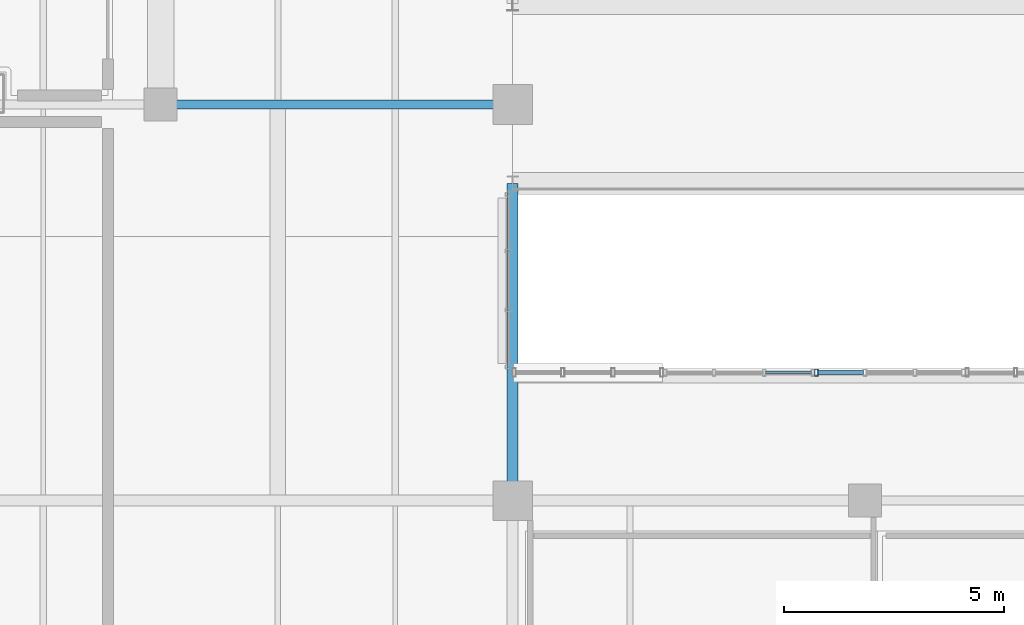
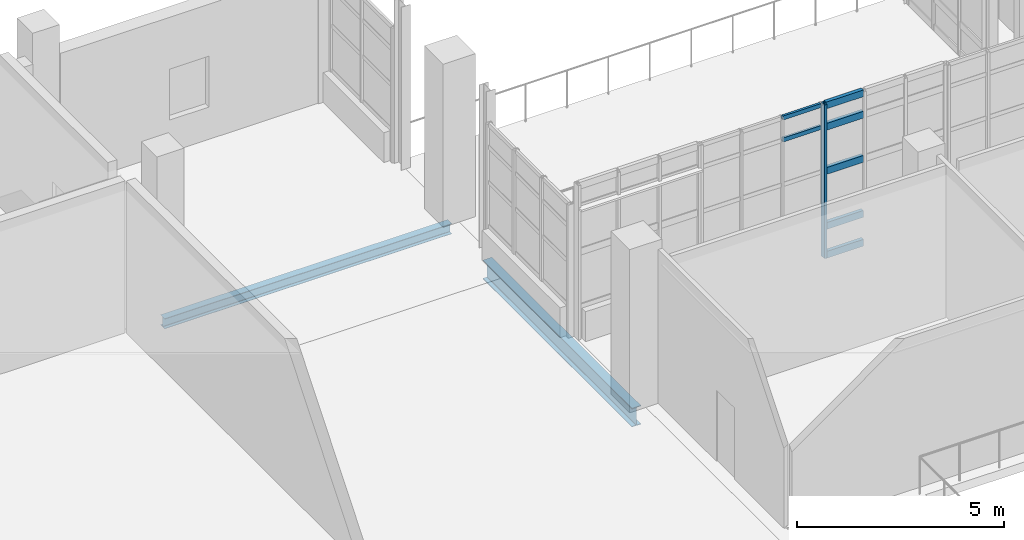
# One storey, part 22 of 100: 8 members, 2 beams, 2 elements without a shape of their own.
"""IFC4 building model written with IfcOpenShell, lengths in metres."""

import ifcopenshell
import ifcopenshell.guid

model = None  # the IFC model being written
_history = None  # IfcOwnerHistory: only IFC2X3 demands one
_inside = {}  # id of a spatial element -> (the spatial element, [elements in it])
_under = {}  # id of a project, library or spatial element -> (it, [spatial elements below it])
_declared = {}  # id of a project -> (the project, [libraries it declares])
_typed = {}  # id of a type object -> (the type object, [elements of that type])
_made_of = {}  # id of a material, layer set ... -> (it, [elements and type objects made of it])


def new_model(schema):
    """Start an empty IFC model of exactly this schema.

    Asked for "IFC4X3", IfcOpenShell would pick the latest addendum, in which some entities
    have other attributes; the version numbers below select the first issue.
    IFC2X3 requires an IfcOwnerHistory on every rooted entity: one is made here for all.
    """
    global model, _history
    if schema == "IFC4X3":
        model = ifcopenshell.file(schema_version=(4, 3, 0, 0))
    else:
        model = ifcopenshell.file(schema=schema)
    _inside.clear()
    _under.clear()
    _declared.clear()
    _typed.clear()
    _made_of.clear()
    _history = None
    if model.schema == "IFC2X3":
        org = make("IfcOrganization", Name="unknown")
        user = make(
            "IfcPersonAndOrganization",
            ThePerson=make("IfcPerson", FamilyName="unknown"),
            TheOrganization=org,
        )
        app = make(
            "IfcApplication",
            ApplicationDeveloper=org,
            Version="unknown",
            ApplicationFullName="unknown",
            ApplicationIdentifier="unknown",
        )
        _history = make(
            "IfcOwnerHistory",
            OwningUser=user,
            OwningApplication=app,
            ChangeAction="ADDED",
            CreationDate=0,
        )
    return model


def make(cls, **values):
    """One entity of the class cls with the attributes given. An attribute that is None is left unset."""
    return model.create_entity(
        cls, **{name: value for name, value in values.items() if value is not None}
    )


def rooted(cls, **values):
    """An entity with a GlobalId (a new one), such as an element, a storey or a relation."""
    return make(cls, GlobalId=ifcopenshell.guid.new(), OwnerHistory=_history, **values)


def si_unit(unit_type, name, prefix=None):
    """IfcSIUnit, for example si_unit("LENGTHUNIT", "METRE", prefix="MILLI")."""
    return make("IfcSIUnit", UnitType=unit_type, Prefix=prefix, Name=name)


def derived_unit(unit_type, elements):
    """IfcDerivedUnit: a product of units, each with its exponent."""
    return make(
        "IfcDerivedUnit",
        Elements=[
            make("IfcDerivedUnitElement", Unit=unit, Exponent=power)
            for unit, power in elements
        ],
        UnitType=unit_type,
    )


def assignment(units):
    """IfcUnitAssignment: the units of a project."""
    return None if units is None else make("IfcUnitAssignment", Units=units)


def point(xyz):
    """IfcCartesianPoint."""
    return None if xyz is None else make("IfcCartesianPoint", Coordinates=xyz)


def direction(xyz):
    """IfcDirection."""
    return None if xyz is None else make("IfcDirection", DirectionRatios=xyz)


def frame(location, z_axis=None, x_axis=None):
    """IfcAxis2Placement3D, a coordinate frame: its origin and axes. An axis left out is left unset."""
    return make(
        "IfcAxis2Placement3D",
        Location=point(location),
        Axis=direction(z_axis),
        RefDirection=direction(x_axis),
    )


def frame_2d(location, x_axis=None):
    """IfcAxis2Placement2D, a coordinate frame in the plane: its origin and x axis."""
    return make(
        "IfcAxis2Placement2D", Location=point(location), RefDirection=direction(x_axis)
    )


def origin():
    """The frame at (0, 0, 0) with its axes left unset."""
    return frame((0.0, 0.0, 0.0))


def origin_2d():
    """The frame at (0, 0) in the plane with its x axis left unset."""
    return frame_2d((0.0, 0.0))


def place(relative_to, where):
    """IfcLocalPlacement: puts the frame where relative to a parent placement (None: the world)."""
    return make(
        "IfcLocalPlacement", PlacementRelTo=relative_to, RelativePlacement=where
    )


def context(
    kind, dimensions, precision=None, world=None, true_north=None, identifier=None
):
    """IfcGeometricRepresentationContext, for example the 3D "Model" context."""
    return make(
        "IfcGeometricRepresentationContext",
        ContextIdentifier=identifier,
        ContextType=kind,
        CoordinateSpaceDimension=dimensions,
        Precision=precision,
        WorldCoordinateSystem=world,
        TrueNorth=true_north,
    )


def subcontext(parent, identifier, kind, view, scale=None):
    """IfcGeometricRepresentationSubContext, for example "Body" below "Model"."""
    return make(
        "IfcGeometricRepresentationSubContext",
        ContextIdentifier=identifier,
        ContextType=kind,
        ParentContext=parent,
        TargetScale=scale,
        TargetView=view,
    )


def project(units=None, contexts=None):
    """IfcProject with its units and contexts."""
    return rooted(
        "IfcProject",
        Name="project",
        RepresentationContexts=contexts,
        UnitsInContext=assignment(units),
    )


def spatial(cls, under=None, at=None, **own):
    """A site, building, storey or space (cls), placed at a placement, below another one or the project."""
    s = rooted(cls, ObjectPlacement=at, **own)
    if under is not None:
        _under.setdefault(under.id(), (under, []))[1].append(s)
    return s


def profile(cls, at=None, kind="AREA", **sizes):
    """A parametric profile (cls). Its sizes go by their IFC names, for example OverallWidth=200.0."""
    return make(cls, ProfileType=kind, Position=at, **sizes)


def hollow_rectangle(**sizes):
    """IfcRectangleHollowProfileDef."""
    return profile("IfcRectangleHollowProfileDef", **sizes)


def i_section(**sizes):
    """IfcIShapeProfileDef."""
    return profile("IfcIShapeProfileDef", **sizes)


def extrude(swept, where, along, depth):
    """IfcExtrudedAreaSolid: the profile swept, set in the frame where, extruded along a direction by depth."""
    return make(
        "IfcExtrudedAreaSolid",
        SweptArea=swept,
        Position=where,
        ExtrudedDirection=direction(along),
        Depth=depth,
    )


def shape(context_of_items, identifier, shape_type, items):
    """IfcShapeRepresentation: the items that make up one representation, for example the "Body"."""
    return make(
        "IfcShapeRepresentation",
        ContextOfItems=context_of_items,
        RepresentationIdentifier=identifier,
        RepresentationType=shape_type,
        Items=items,
    )


def material(Name=None, Category=None):
    """IfcMaterial."""
    return make("IfcMaterial", Name=Name, Category=Category)


def layer(
    of_material, thickness, ventilated=None, Name=None, Category=None, Priority=None
):
    """IfcMaterialLayer: one layer of a wall or slab, of a material (None: an air gap)."""
    return make(
        "IfcMaterialLayer",
        Material=of_material,
        LayerThickness=thickness,
        IsVentilated=ventilated,
        Name=Name,
        Category=Category,
        Priority=Priority,
    )


def layer_set(layers, Name=None):
    """IfcMaterialLayerSet."""
    return make("IfcMaterialLayerSet", MaterialLayers=layers, LayerSetName=Name)


def material_profile(
    of_material, cross_section, Name=None, Category=None, Priority=None
):
    """IfcMaterialProfile: a cross section and its material."""
    return make(
        "IfcMaterialProfile",
        Name=Name,
        Material=of_material,
        Profile=cross_section,
        Priority=Priority,
        Category=Category,
    )


def profile_set(profiles, Name=None, composite=None):
    """IfcMaterialProfileSet."""
    return make(
        "IfcMaterialProfileSet",
        Name=Name,
        MaterialProfiles=profiles,
        CompositeProfile=composite,
    )


def made_of(thing, what):
    """Note that an element or type object is made of a material, layer set ...; save() writes the relation."""
    if what is not None:
        _made_of.setdefault(what.id(), (what, []))[1].append(thing)
    return thing


def type_object(cls, material=None, **own):
    """A type object (cls), such as IfcWallType, which elements share."""
    return made_of(rooted(cls, **own), material)


def element(
    cls,
    number,
    at=None,
    inside=None,
    cuts=None,
    type_object=None,
    material=None,
    context=None,
    identifier="Body",
    shape_type=None,
    held_by="IfcProductDefinitionShape",
    body=None,
    shapes=None,
    **own,
):
    """One element of the class cls, such as IfcWall. Its Tag is "e" and its number.

    at: its placement. inside: the storey or other place that contains it. cuts: it is an
    opening in that element (IfcRelVoidsElement). A single representation is given by context,
    identifier, shape_type and body (its items); several are given by shapes. held_by: the class
    of the entity that holds the representations. save() writes the other relations.
    """
    e = rooted(cls, Tag="e%d" % number, ObjectPlacement=at, **own)
    if body is not None:
        shapes = [shape(context, identifier, shape_type, body)]
    if shapes is not None:
        e.Representation = make(held_by, Representations=shapes)
    if inside is not None:
        _inside.setdefault(inside.id(), (inside, []))[1].append(e)
    if cuts is not None:
        rooted(
            "IfcRelVoidsElement", RelatingBuildingElement=cuts, RelatedOpeningElement=e
        )
    if type_object is not None:
        _typed.setdefault(type_object.id(), (type_object, []))[1].append(e)
    return made_of(e, material)


def aggregate(whole, parts):
    """IfcRelAggregates: a whole, such as a stair, and the parts it consists of."""
    return rooted("IfcRelAggregates", RelatingObject=whole, RelatedObjects=parts)


def save(model, path):
    """Write the relations noted so far, then the file.

    IfcRelAggregates (storeys below a building ...), IfcRelContainedInSpatialStructure (elements
    in a storey), IfcRelDefinesByType, IfcRelAssociatesMaterial and IfcRelDeclares: one each for
    every whole, place, type object, material and project.
    """
    for whole, parts in _under.values():
        aggregate(whole, parts)
    for where, things in _inside.values():
        rooted(
            "IfcRelContainedInSpatialStructure",
            RelatedElements=things,
            RelatingStructure=where,
        )
    for kind, things in _typed.values():
        rooted("IfcRelDefinesByType", RelatedObjects=things, RelatingType=kind)
    for what, things in _made_of.values():
        rooted("IfcRelAssociatesMaterial", RelatedObjects=things, RelatingMaterial=what)
    for by, libraries in _declared.values():
        rooted("IfcRelDeclares", RelatingContext=by, RelatedDefinitions=libraries)
    model.write(path)


model = new_model("IFC4")

# Units and contexts
model_context = context("Model", 3, precision=1e-05, world=origin(), true_north=direction((0.0, 1.0)))
body_context = subcontext(model_context, "Body", "Model", "MODEL_VIEW")
ifc_project = project(units=[si_unit("LENGTHUNIT", "METRE"), si_unit("AREAUNIT", "SQUARE_METRE"), si_unit("VOLUMEUNIT", "CUBIC_METRE"), si_unit("PLANEANGLEUNIT", "RADIAN"), si_unit("MASSUNIT", "GRAM", prefix="KILO"), derived_unit("THERMALTRANSMITTANCEUNIT", [(si_unit("POWERUNIT", "WATT"), 1), (si_unit("LENGTHUNIT", "METRE"), -2), (si_unit("THERMODYNAMICTEMPERATUREUNIT", "KELVIN"), -1)])], contexts=[model_context])

# Site, building, storey
site_placement = place(None, origin())
site = spatial("IfcSite", under=ifc_project, at=site_placement, CompositionType="ELEMENT")
building_placement = place(site_placement, origin())
building = spatial("IfcBuilding", under=site, at=building_placement, Name="Nallur Shell Playhouse", CompositionType="ELEMENT")
storey_placement = place(building_placement, frame((0.0, 0.0, 10.199951171875)))
storey = spatial("IfcBuildingStorey", under=building, at=storey_placement, Name="L03", CompositionType="ELEMENT", Elevation=10.199951171875)

# Beams
ifc_material_1 = material(Name="Steel E250", Category="steel")
ifc_material_profile_1 = material_profile(ifc_material_1, i_section(OverallWidth=0.199951171875, OverallDepth=0.300048828125, WebThickness=0.00732421875, FlangeThickness=0.010009765625, FilletRadius=0.010986328125, at=origin_2d()), Name="ISWB 300")
ifc_profile_set_1 = profile_set([ifc_material_profile_1], Name="Steel E250")
beam_type_1 = type_object("IfcBeamType", Name="BM-ST-ISWB300", PredefinedType="BEAM", material=ifc_profile_set_1)
beam_1_placement = place(storey_placement, frame((32.0, 50.0, -0.409912109375), z_axis=(1.0, 0.0, 0.0), x_axis=(0.0, 1.0, 0.0)))
element("IfcBeam", 1, at=beam_1_placement, inside=storey, type_object=beam_type_1, Name="L03 girder X-F-599", PredefinedType="BEAM", context=body_context, shape_type="SweptSolid", body=[
    extrude(i_section(OverallWidth=0.199951171875, OverallDepth=0.300048828125, WebThickness=0.00732421875, FlangeThickness=0.010009765625, FilletRadius=0.010986328125, at=origin_2d()), origin(), (0.0, 0.0, 1.0), 8.0),
])
ifc_material_2 = material(Name="Steel E350", Category="steel")
ifc_material_profile_2 = material_profile(ifc_material_2, i_section(OverallWidth=0.25, OverallDepth=0.550048828125, WebThickness=0.010498046875, FlangeThickness=0.017578125, FilletRadius=0.01611328125, at=origin_2d()), Name="ISWB 550")
ifc_profile_set_2 = profile_set([ifc_material_profile_2], Name="Steel E350")
beam_type_2 = type_object("IfcBeamType", Name="BM-ST-ISWB550", PredefinedType="BEAM", material=ifc_profile_set_2)
beam_2_placement = place(storey_placement, frame((40.0, 41.0, -0.534912109375), z_axis=(0.0, 1.0, 0.0), x_axis=(-1.0, 0.0, 0.0)))
element("IfcBeam", 2, at=beam_2_placement, inside=storey, type_object=beam_type_2, Name="L03 girder Y-5-642", PredefinedType="BEAM", context=body_context, shape_type="SweptSolid", body=[
    extrude(i_section(OverallWidth=0.25, OverallDepth=0.550048828125, WebThickness=0.010498046875, FlangeThickness=0.017578125, FilletRadius=0.01611328125, at=origin_2d()), origin(), (0.0, 0.0, 1.0), 7.199951171875),
])

# Curtain wall, member
ifc_material_3 = material(Name="Anodised Aluminium Double-Glazed Facade System", Category="aluminium")
ifc_layer_1 = layer(ifc_material_3, 0.159912109375)
ifc_layer_set_1 = layer_set([ifc_layer_1], Name="Anodised Aluminium Double-Glazed Facade System")
curtain_wall_type_1 = type_object("IfcCurtainWallType", Name="CW-UNIT-30", PredefinedType="NOTDEFINED", material=ifc_layer_set_1)
curtain_wall_1_placement = place(storey_placement, origin())
curtain_wall_1 = element("IfcCurtainWall", 3, at=curtain_wall_1_placement, inside=storey, type_object=curtain_wall_type_1, Name="Unitised curtain wall CW-062 (L03)", PredefinedType="NOTDEFINED")
ifc_material_4 = material(Name="Aluminium Alloy 6063-T6 Mullion", Category="aluminium")
ifc_material_profile_3 = material_profile(ifc_material_4, hollow_rectangle(XDim=0.080078125, YDim=0.159912109375, WallThickness=0.006103515625, at=origin_2d()), Name="RHS 160x80x6")
ifc_profile_set_3 = profile_set([ifc_material_profile_3], Name="Aluminium Alloy 6063-T6 Mullion")
member_type_1 = type_object("IfcMemberType", Name="MB-CW-MUL150", PredefinedType="MULLION", material=ifc_profile_set_3)
member_1_placement = place(storey_placement, frame((46.902099609375, 43.909912109375, -0.014892578125), z_axis=(0.0, 0.0, 1.0), x_axis=(1.0, 0.0, 0.0)))
member_1 = element("IfcMember", 4, at=member_1_placement, type_object=member_type_1, Name="CW-30 mullion 1", PredefinedType="MULLION", context=body_context, shape_type="SweptSolid", body=[
    extrude(hollow_rectangle(XDim=0.080078125, YDim=0.159912109375, WallThickness=0.006103515625, at=origin_2d()), origin(), (0.0, 0.0, 1.0), 4.51904296875),
])

# Curtain wall, members
ifc_layer_2 = layer(ifc_material_3, 0.179931640625)
ifc_layer_set_2 = layer_set([ifc_layer_2], Name="Anodised Aluminium Double-Glazed Facade System")
curtain_wall_type_2 = type_object("IfcCurtainWallType", Name="CW-UNIT-29", PredefinedType="NOTDEFINED", material=ifc_layer_set_2)
curtain_wall_2_placement = place(storey_placement, origin())
curtain_wall_2 = element("IfcCurtainWall", 5, at=curtain_wall_2_placement, inside=storey, type_object=curtain_wall_type_2, Name="Unitised curtain wall CW-061 (L03)", PredefinedType="NOTDEFINED")
ifc_material_5 = material(Name="Aluminium Alloy 6063-T6 Transom", Category="aluminium")
ifc_material_profile_4 = material_profile(ifc_material_5, hollow_rectangle(XDim=0.06494140625, YDim=0.1201171875, WallThickness=0.00390625, at=origin_2d()), Name="ALU 65x120x4")
ifc_profile_set_4 = profile_set([ifc_material_profile_4], Name="Aluminium Alloy 6063-T6 Transom")
member_type_2 = type_object("IfcMemberType", Name="MB-CW-TRN120", PredefinedType="USERDEFINED", material=ifc_profile_set_4)
member_2_placement = place(storey_placement, frame((45.737060546875, 43.909912109375, 3.840087890625), z_axis=(1.0, 0.0, 0.0), x_axis=(0.0, 1.0, 0.0)))
member_2 = element("IfcMember", 6, at=member_2_placement, type_object=member_type_2, Name="CW-29 transom 3.4", ObjectType="TRANSOM", PredefinedType="USERDEFINED", context=body_context, shape_type="SweptSolid", body=[
    extrude(hollow_rectangle(XDim=0.06494140625, YDim=0.1201171875, WallThickness=0.00390625, at=origin_2d()), origin(), (0.0, 0.0, 1.0), 1.05810546875),
])
member_3_placement = place(storey_placement, frame((45.737060546875, 43.909912109375, 4.487548828125), z_axis=(1.0, 0.0, 0.0), x_axis=(0.0, 1.0, 0.0)))
member_3 = element("IfcMember", 7, at=member_3_placement, type_object=member_type_2, Name="CW-29 transom 3.5", ObjectType="TRANSOM", PredefinedType="USERDEFINED", context=body_context, shape_type="SweptSolid", body=[
    extrude(hollow_rectangle(XDim=0.06494140625, YDim=0.1201171875, WallThickness=0.00390625, at=origin_2d()), origin(), (0.0, 0.0, 1.0), 1.05810546875),
])
aggregate(curtain_wall_2, [member_2, member_3])

# Member
ifc_material_profile_5 = material_profile(ifc_material_5, hollow_rectangle(XDim=0.10009765625, YDim=0.199951171875, WallThickness=0.008056640625, at=origin_2d()), Name="RHS 200x100x8")
ifc_profile_set_5 = profile_set([ifc_material_profile_5], Name="Aluminium Alloy 6063-T6 Transom")
member_type_3 = type_object("IfcMemberType", Name="MB-CW-TRN140", PredefinedType="USERDEFINED", material=ifc_profile_set_5)
member_4_placement = place(storey_placement, frame((46.93408203125, 43.909912109375, 0.050048828125), z_axis=(1.0, 0.0, 0.0), x_axis=(0.0, 1.0, 0.0)))
member_4 = element("IfcMember", 8, at=member_4_placement, type_object=member_type_3, Name="CW-30 transom 1.1", ObjectType="TRANSOM", PredefinedType="USERDEFINED", context=body_context, shape_type="SweptSolid", body=[
    extrude(hollow_rectangle(XDim=0.10009765625, YDim=0.199951171875, WallThickness=0.008056640625, at=origin_2d()), origin(), (0.0, 0.0, 1.0), 1.03564453125),
])

member_5_placement = place(storey_placement, frame((46.93408203125, 43.909912109375, 0.900146484375), z_axis=(1.0, 0.0, 0.0), x_axis=(0.0, 1.0, 0.0)))
member_5 = element("IfcMember", 9, at=member_5_placement, type_object=member_type_3, Name="CW-30 transom 1.2", ObjectType="TRANSOM", PredefinedType="USERDEFINED", context=body_context, shape_type="SweptSolid", body=[
    extrude(hollow_rectangle(XDim=0.10009765625, YDim=0.199951171875, WallThickness=0.008056640625, at=origin_2d()), origin(), (0.0, 0.0, 1.0), 1.03564453125),
])

member_6_placement = place(storey_placement, frame((46.93408203125, 43.909912109375, 2.52001953125), z_axis=(1.0, 0.0, 0.0), x_axis=(0.0, 1.0, 0.0)))
member_6 = element("IfcMember", 10, at=member_6_placement, type_object=member_type_3, Name="CW-30 transom 1.3", ObjectType="TRANSOM", PredefinedType="USERDEFINED", context=body_context, shape_type="SweptSolid", body=[
    extrude(hollow_rectangle(XDim=0.10009765625, YDim=0.199951171875, WallThickness=0.008056640625, at=origin_2d()), origin(), (0.0, 0.0, 1.0), 1.03564453125),
])

member_7_placement = place(storey_placement, frame((46.93408203125, 43.909912109375, 3.820068359375), z_axis=(1.0, 0.0, 0.0), x_axis=(0.0, 1.0, 0.0)))
member_7 = element("IfcMember", 11, at=member_7_placement, type_object=member_type_3, Name="CW-30 transom 1.4", ObjectType="TRANSOM", PredefinedType="USERDEFINED", context=body_context, shape_type="SweptSolid", body=[
    extrude(hollow_rectangle(XDim=0.10009765625, YDim=0.199951171875, WallThickness=0.008056640625, at=origin_2d()), origin(), (0.0, 0.0, 1.0), 1.03564453125),
])

member_8_placement = place(storey_placement, frame((46.93408203125, 43.909912109375, 4.449951171875), z_axis=(1.0, 0.0, 0.0), x_axis=(0.0, 1.0, 0.0)))
member_8 = element("IfcMember", 12, at=member_8_placement, type_object=member_type_3, Name="CW-30 transom 1.5", ObjectType="TRANSOM", PredefinedType="USERDEFINED", context=body_context, shape_type="SweptSolid", body=[
    extrude(hollow_rectangle(XDim=0.10009765625, YDim=0.199951171875, WallThickness=0.008056640625, at=origin_2d()), origin(), (0.0, 0.0, 1.0), 1.03564453125),
])

aggregate(curtain_wall_1, [member_1, member_4, member_5, member_6, member_7, member_8])

save(model, "model.ifc")
